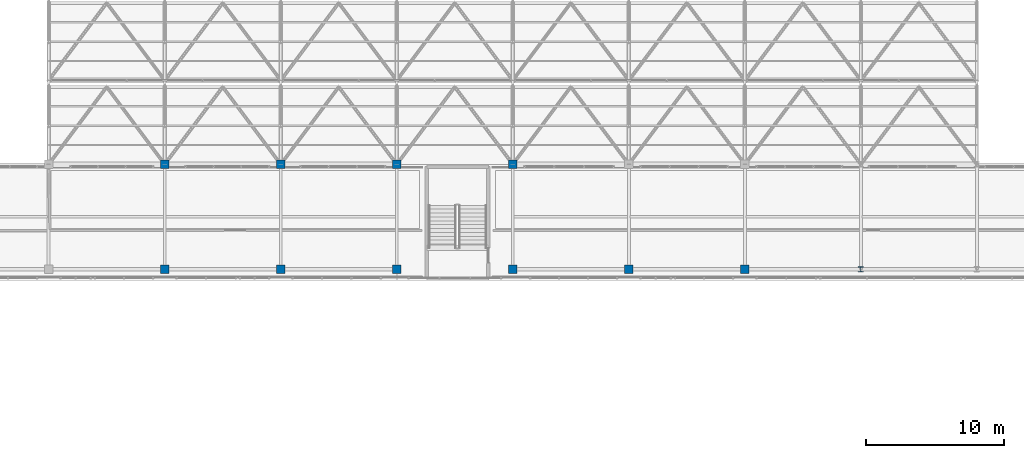
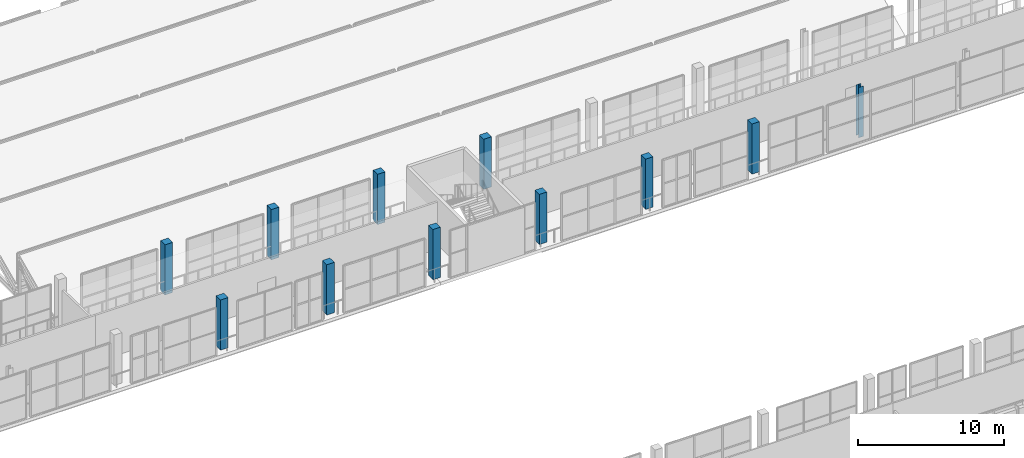
# One storey, part 9 of 217: 11 columns.
"""IFC4 building model written with IfcOpenShell, lengths in metres."""

from ifc_helpers import new_model, si_unit, direction, frame, origin, origin_2d, place, context, subcontext, project, spatial, rectangle, i_section, extrude, material, material_profile, profile_set, type_object, element, save


model = new_model("IFC4")

# Units and contexts
model_context = context("Model", 3, precision=1e-05, world=origin(), true_north=direction((0.0, 1.0)))
body_context = subcontext(model_context, "Body", "Model", "MODEL_VIEW")
ifc_project = project(units=[si_unit("LENGTHUNIT", "METRE"), si_unit("AREAUNIT", "SQUARE_METRE"), si_unit("VOLUMEUNIT", "CUBIC_METRE"), si_unit("PLANEANGLEUNIT", "RADIAN"), si_unit("MASSUNIT", "GRAM", prefix="KILO")], contexts=[model_context])

# Site, building, storey
site_placement = place(None, origin())
site = spatial("IfcSite", under=ifc_project, at=site_placement, CompositionType="ELEMENT")
building_placement = place(site_placement, origin())
building = spatial("IfcBuilding", under=site, at=building_placement, Name="Zuvorla Pavilion Media Centre", CompositionType="ELEMENT")
storey_placement = place(building_placement, frame((0.0, 0.0, 9.60009765625)))
storey = spatial("IfcBuildingStorey", under=building, at=storey_placement, Name="L02", CompositionType="ELEMENT", Elevation=9.60009765625)

# Columns
ifc_material_1 = material(Name="Concrete C40/50", Category="concrete")
ifc_material_profile_1 = material_profile(ifc_material_1, rectangle(XDim=0.60009765625, YDim=0.60009765625, at=origin_2d()), Name="RC 600x600")
ifc_profile_set_1 = profile_set([ifc_material_profile_1], Name="Concrete C40/50")
column_type_1 = type_object("IfcColumnType", Name="COL-RC600", PredefinedType="COLUMN", material=ifc_profile_set_1)
for number, where, z_axis, x_axis, name in (
    (1, (75.199951171875, 82.0, 0.0), (0.0, 0.0, 1.0), (1.0, 0.0, 0.0), "L02 column C03 780"),
    (2, (83.60009765625, 82.0, 0.0), (0.0, 0.0, 1.0), (1.0, 0.0, 0.0), "L02 column C03 785"),
    (3, (92.0, 82.0, 0.0), (0.0, 0.0, 1.0), (1.0, 0.0, 0.0), "L02 column C03 790"),
    (4, (100.39990234375, 82.0, 0.0), (0.0, 0.0, 1.0), (1.0, 0.0, 0.0), "L02 column C03 795"),
    (5, (108.800048828125, 82.0, 0.0), (0.0, 0.0, 1.0), (1.0, 0.0, 0.0), "L02 column C03 800"),
    (6, (117.199951171875, 82.0, 0.0), (0.0, 0.0, 1.0), (1.0, 0.0, 0.0), "L02 column C03 805"),
    (7, (75.199951171875, 89.60009765625, 0.0), (0.0, 0.0, 1.0), (1.0, 0.0, 0.0), "L02 column C03 872"),
    (8, (83.60009765625, 89.60009765625, 0.0), (0.0, 0.0, 1.0), (1.0, 0.0, 0.0), "L02 column C03 877"),
    (9, (92.0, 89.60009765625, 0.0), (0.0, 0.0, 1.0), (1.0, 0.0, 0.0), "L02 column C03 882"),
    (10, (100.39990234375, 89.60009765625, 0.0), (0.0, 0.0, 1.0), (1.0, 0.0, 0.0), "L02 column C03 887"),
):
    element("IfcColumn", number, at=place(storey_placement, frame(where, z_axis=z_axis, x_axis=x_axis)), inside=storey, type_object=column_type_1, Name=name, PredefinedType="COLUMN", context=body_context, shape_type="SweptSolid", body=[
        extrude(rectangle(XDim=0.60009765625, YDim=0.60009765625, at=origin_2d()), origin(), (0.0, 0.0, 1.0), 4.199951171875),
    ])
ifc_material_2 = material(Name="Steel S355", Category="steel")
ifc_material_profile_2 = material_profile(ifc_material_2, i_section(OverallWidth=0.37255859375, OverallDepth=0.3681640625, WebThickness=0.014404296875, FlangeThickness=0.023681640625, FilletRadius=0.01513671875, at=origin_2d()), Name="UC 356x368x177")
ifc_profile_set_2 = profile_set([ifc_material_profile_2], Name="Steel S355")
column_type_2 = type_object("IfcColumnType", Name="COL-UC356", PredefinedType="COLUMN", material=ifc_profile_set_2)
column_placement = place(storey_placement, frame((125.60009765625, 82.0, 0.0), z_axis=(0.0, 0.0, 1.0), x_axis=(1.0, 0.0, 0.0)))
element("IfcColumn", 11, at=column_placement, inside=storey, type_object=column_type_2, Name="L02 column C09 810", PredefinedType="COLUMN", context=body_context, shape_type="SweptSolid", body=[
    extrude(i_section(OverallWidth=0.37255859375, OverallDepth=0.3681640625, WebThickness=0.014404296875, FlangeThickness=0.023681640625, FilletRadius=0.01513671875, at=origin_2d()), origin(), (0.0, 0.0, 1.0), 4.199951171875),
])

save(model, "model.ifc")
